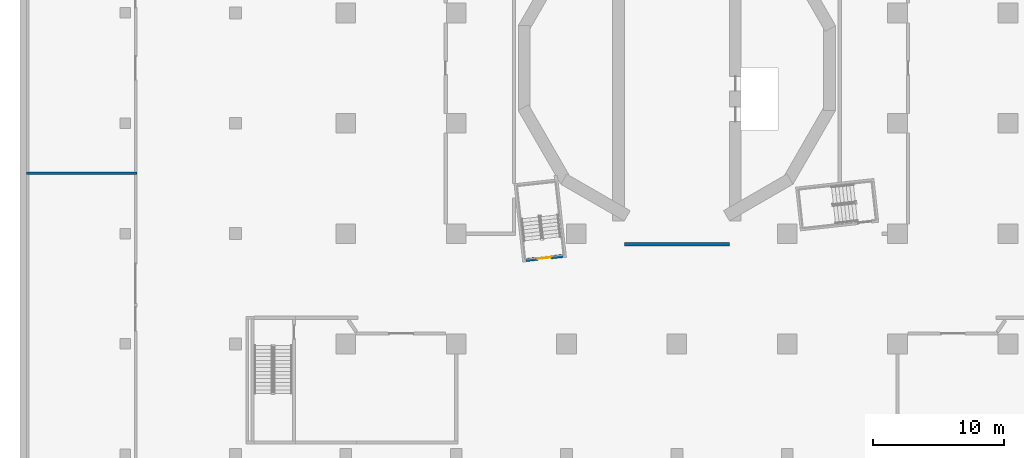
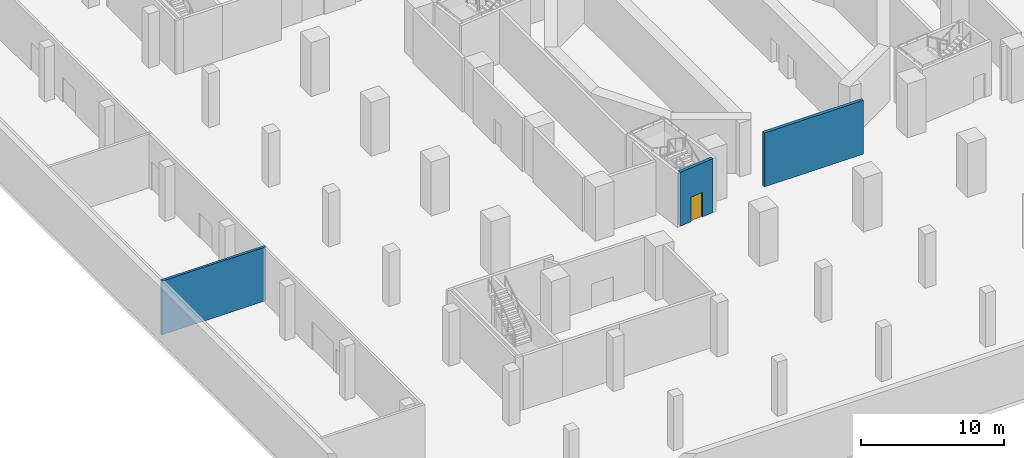
# One storey, part 4 of 20: 3 walls, 1 door, 1 opening.
"""IFC4 building model written with IfcOpenShell, lengths in metres."""

from ifc_helpers import new_model, si_unit, direction, frame, frame_2d, origin, place, context, subcontext, project, spatial, rectangle, extrude, material, layer, layer_set, type_object, element, fill, save


model = new_model("IFC4")

# Units and contexts
model_context = context("Model", 3, precision=1e-05, world=origin(), true_north=direction((0.0, 1.0)))
body_context = subcontext(model_context, "Body", "Model", "MODEL_VIEW")
ifc_project = project(units=[si_unit("LENGTHUNIT", "METRE"), si_unit("AREAUNIT", "SQUARE_METRE"), si_unit("VOLUMEUNIT", "CUBIC_METRE"), si_unit("PLANEANGLEUNIT", "RADIAN"), si_unit("MASSUNIT", "GRAM", prefix="KILO")], contexts=[model_context])

# Site, building, storey
site_placement = place(None, origin())
site = spatial("IfcSite", under=ifc_project, at=site_placement, CompositionType="ELEMENT")
building_placement = place(site_placement, origin())
building = spatial("IfcBuilding", under=site, at=building_placement, Name="Cantera Rosa Tower", CompositionType="ELEMENT")
storey_placement = place(building_placement, frame((0.0, 0.0, -5.0)))
storey = spatial("IfcBuildingStorey", under=building, at=storey_placement, Name="B1", CompositionType="ELEMENT", Elevation=-5.0)

# Walls
ifc_material_1 = material(Name="Masonry blockwork", Category="masonry")
ifc_layer_1 = layer(ifc_material_1, 0.199951171875)
ifc_layer_set_1 = layer_set([ifc_layer_1], Name="Blockwork partition 200")
wall_type_1 = type_object("IfcWallType", Name="Blockwork partition 200", PredefinedType="PARTITIONING", material=ifc_layer_set_1)
wall_1_placement = place(storey_placement, frame((-49.5, -8.0, 0.0), z_axis=(0.0, 0.0, 1.0), x_axis=(1.0, 0.0, 0.0)))
element("IfcWall", 1, at=wall_1_placement, inside=storey, type_object=wall_type_1, Name="Partition B1-67", PredefinedType="PARTITIONING", context=body_context, shape_type="SweptSolid", body=[
    extrude(rectangle(XDim=8.39990234375, YDim=0.199951171875, at=frame_2d((4.199951171875, 0.0))), origin(), (0.0, 0.0, 1.0), 4.60009765625),
])
ifc_material_2 = material(Name="Masonry blockwork", Category="masonry")
ifc_layer_2 = layer(ifc_material_2, 0.25)
ifc_layer_set_2 = layer_set([ifc_layer_2], Name="Fire-rated wall 250")
wall_type_2 = type_object("IfcWallType", Name="Fire-rated wall 250", PredefinedType="PARTITIONING", material=ifc_layer_set_2)
wall_2_placement = place(storey_placement, frame((-4.0, -13.39990234375, 0.0), z_axis=(0.0, 0.0, 1.0), x_axis=(1.0, 0.0, 0.0)))
element("IfcWall", 2, at=wall_2_placement, inside=storey, type_object=wall_type_2, Name="Fire wall B1-2", PredefinedType="PARTITIONING", context=body_context, shape_type="SweptSolid", body=[
    extrude(rectangle(XDim=8.0, YDim=0.25, at=frame_2d((4.0, 0.0))), origin(), (0.0, 0.0, 1.0), 4.60009765625),
])

# Wall, opening, door
ifc_material_3 = material(Name="Concrete C50/60", Category="concrete")
ifc_layer_3 = layer(ifc_material_3, 0.25)
ifc_layer_set_3 = layer_set([ifc_layer_3], Name="RC stair wall 250 C50/60")
wall_type_3 = type_object("IfcWallType", Name="RC stair wall 250", PredefinedType="SOLIDWALL", material=ifc_layer_set_3)
wall_3_placement = place(storey_placement, frame((-8.66650390625, -14.30029296875, 0.0), z_axis=(0.0, 0.0, 1.0), x_axis=(-0.993904609394, -0.110243491536, 0.0)))
wall_3 = element("IfcWall", 3, at=wall_3_placement, inside=storey, type_object=wall_type_3, Name="Stair wall ST-13 B1-1", PredefinedType="SOLIDWALL", context=body_context, shape_type="SweptSolid", body=[
    extrude(rectangle(XDim=2.85009765625, YDim=0.25, at=frame_2d((1.425048828125, 0.0))), origin(), (0.0, 0.0, 1.0), 4.60009765625),
])
opening_placement = place(wall_3_placement, frame((0.925048828125, 0.0, 0.0)))
opening = element("IfcOpeningElement", 4, at=opening_placement, cuts=wall_3, Name="Opening B1-ST-13", PredefinedType="OPENING", context=body_context, shape_type="SweptSolid", body=[
    extrude(rectangle(XDim=1.0, YDim=2.10009765625, at=frame_2d((0.5, 1.050048828125))), frame((0.0, 0.135009765625, 0.0), z_axis=(0.0, -1.0, 0.0), x_axis=(1.0, 0.0, 0.0)), (0.0, 0.0, 1.0), 0.27001953125),
])
ifc_material_4 = material(Name="Steel S355J2 (EN 10025-2)", Category="steel")
door_type = type_object("IfcDoorType", Name="Fire door 1000x2100 EI 120", OperationType="NOTDEFINED", PredefinedType="DOOR", material=ifc_material_4)
door_placement = place(opening_placement, origin())
door = element("IfcDoor", 5, at=door_placement, inside=storey, type_object=door_type, Name="Door B1-ST-13", OverallHeight=2.10009765625, OverallWidth=1.0, PredefinedType="DOOR", context=body_context, shape_type="SweptSolid", body=[
    extrude(rectangle(XDim=1.0, YDim=2.10009765625, at=frame_2d((0.5, 1.050048828125))), frame((0.0, 0.02490234375, 0.0), z_axis=(0.0, -1.0, 0.0), x_axis=(1.0, 0.0, 0.0)), (0.0, 0.0, 1.0), 0.050048828125),
])
fill(opening, door)

save(model, "model.ifc")
